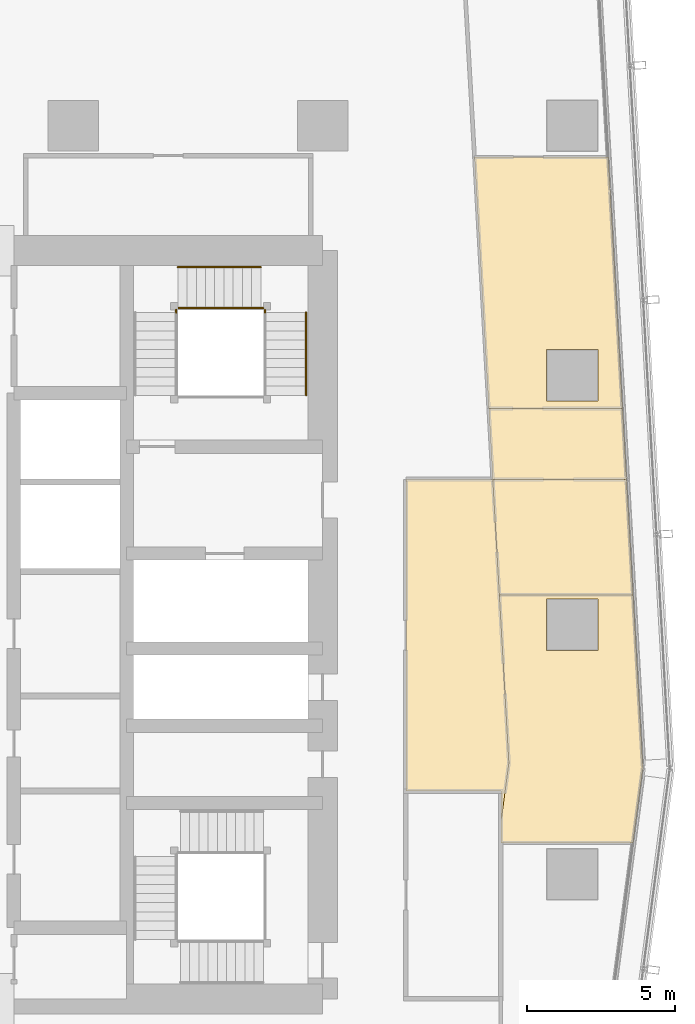
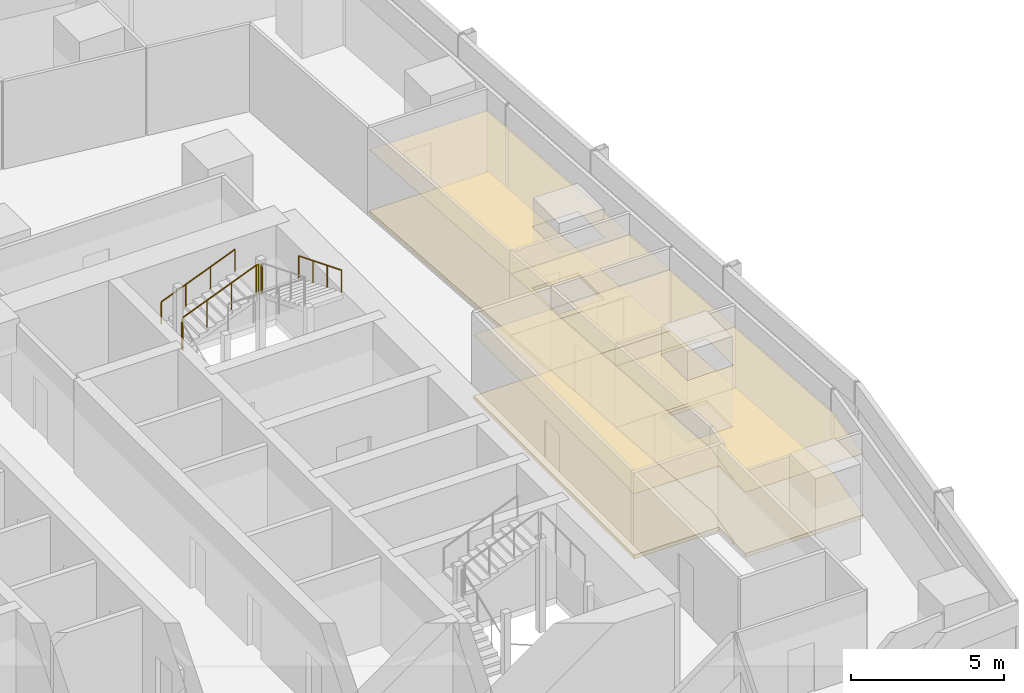
# One storey, part 38 of 39: 10 coverings, 6 railings.
"""IFC4 building model written with IfcOpenShell, lengths in metres."""

from ifc_helpers import new_model, si_unit, direction, frame, origin, origin_2d, place, context, subcontext, project, spatial, polyline, circle, outline, extrude, material, layer, layer_set, type_object, element, save


model = new_model("IFC4")

# Units and contexts
model_context = context("Model", 3, precision=1e-05, world=origin(), true_north=direction((0.0, 1.0)))
body_context = subcontext(model_context, "Body", "Model", "MODEL_VIEW")
ifc_project = project(units=[si_unit("LENGTHUNIT", "METRE"), si_unit("AREAUNIT", "SQUARE_METRE"), si_unit("VOLUMEUNIT", "CUBIC_METRE"), si_unit("PLANEANGLEUNIT", "RADIAN"), si_unit("MASSUNIT", "GRAM", prefix="KILO")], contexts=[model_context])

# Site, building, storey
site_placement = place(None, origin())
site = spatial("IfcSite", under=ifc_project, at=site_placement, CompositionType="ELEMENT")
building_placement = place(site_placement, origin())
building = spatial("IfcBuilding", under=site, at=building_placement, Name="Rekha Terrace Tower", CompositionType="ELEMENT")
storey_placement = place(building_placement, frame((0.0, 0.0, 183.949951171875)))
storey = spatial("IfcBuildingStorey", under=building, at=storey_placement, Name="L46", CompositionType="ELEMENT", Elevation=183.949951171875)

# Coverings
ifc_material_1 = material(Name="Mineral fibre tile in exposed grid", Category="finish")
ifc_layer_1 = layer(ifc_material_1, 0.02001953125)
ifc_layer_set_1 = layer_set([ifc_layer_1], Name="Mineral fibre tile in exposed grid")
covering_type_1 = type_object("IfcCoveringType", Name="CL1 600x1200 office grid ceiling", PredefinedType="CEILING", material=ifc_layer_set_1)
covering_1_placement = place(storey_placement, frame((0.0, 0.0, 2.580078125)))
element("IfcCovering", 1, at=covering_1_placement, inside=storey, type_object=covering_type_1, Name="Ceiling L46-05", PredefinedType="CEILING", context=body_context, shape_type="SweptSolid", body=[
    extrude(outline(polyline([(60.85498046875, 34.60791015625), (56.347900390625, 34.60791015625), (56.6689453125, 28.948974609375), (56.39990234375, 26.91796875), (56.39990234375, 26.256103515625), (60.85205078125, 26.256103515625), (61.18603515625, 28.780029296875), (60.85498046875, 34.60791015625)]), holes=[polyline([(59.6650390625, 34.465087890625), (59.6650390625, 32.735107421875), (57.93505859375, 32.735107421875), (57.93505859375, 34.465087890625), (59.6650390625, 34.465087890625)])]), origin(), (0.0, 0.0, 1.0), 0.02001953125),
])
covering_2_placement = place(storey_placement, frame((0.0, 0.0, 2.580078125)))
element("IfcCovering", 2, at=covering_2_placement, inside=storey, type_object=covering_type_1, Name="Ceiling L46-06", PredefinedType="CEILING", context=body_context, shape_type="SweptSolid", body=[
    extrude(outline(polyline([(56.347900390625, 34.60888671875), (60.85498046875, 34.60888671875), (60.635009765625, 38.493896484375), (56.126953125, 38.493896484375), (56.347900390625, 34.60888671875)])), origin(), (0.0, 0.0, 1.0), 0.02001953125),
])
covering_3_placement = place(storey_placement, frame((0.0, 0.0, 2.580078125)))
element("IfcCovering", 3, at=covering_3_placement, inside=storey, type_object=covering_type_1, Name="Ceiling L46-O1", PredefinedType="CEILING", context=body_context, shape_type="SweptSolid", body=[
    extrude(outline(polyline([(56.6689453125, 28.948974609375), (56.347900390625, 34.60791015625), (56.126953125, 38.493896484375), (53.199951171875, 38.493896484375), (53.199951171875, 28.0), (56.39990234375, 28.0), (56.39990234375, 27.071044921875), (56.419921875, 27.070068359375), (56.6689453125, 28.948974609375)])), origin(), (0.0, 0.0, 1.0), 0.02001953125),
])
covering_4_placement = place(storey_placement, frame((0.0, 0.0, 2.580078125)))
element("IfcCovering", 4, at=covering_4_placement, inside=storey, type_object=covering_type_1, Name="Ceiling L46-10", PredefinedType="CEILING", context=body_context, shape_type="SweptSolid", body=[
    extrude(outline(polyline([(60.4990234375, 40.87890625), (55.991943359375, 40.87890625), (56.126953125, 38.4951171875), (60.635009765625, 38.4951171875), (60.4990234375, 40.87890625)])), origin(), (0.0, 0.0, 1.0), 0.02001953125),
])
covering_5_placement = place(storey_placement, frame((0.0, 0.0, 2.580078125)))
element("IfcCovering", 5, at=covering_5_placement, inside=storey, type_object=covering_type_1, Name="Ceiling L46-11", PredefinedType="CEILING", context=body_context, shape_type="SweptSolid", body=[
    extrude(outline(polyline([(60.01904296875, 49.345947265625), (55.511962890625, 49.345947265625), (55.991943359375, 40.8798828125), (60.4990234375, 40.8798828125), (60.01904296875, 49.345947265625)]), holes=[polyline([(59.6650390625, 41.135009765625), (57.93505859375, 41.135009765625), (57.93505859375, 42.864990234375), (59.6650390625, 42.864990234375), (59.6650390625, 41.135009765625)])]), origin(), (0.0, 0.0, 1.0), 0.02001953125),
])

# Railings
ifc_material_2 = material(Name="Stainless steel balustrade", Category="steel")
railing_type_1 = type_object("IfcRailingType", Name="GR1 1100 stair guard", PredefinedType="GUARDRAIL", material=ifc_material_2)
railing_1_placement = place(storey_placement, frame((45.52490234375, 44.260009765625, 1.375)))
element("IfcRailing", 6, at=railing_1_placement, inside=storey, type_object=railing_type_1, Name="Guard ST2 L46 flight 2", PredefinedType="GUARDRAIL", context=body_context, shape_type="SweptSolid", body=[
    extrude(circle(Radius=0.02392578125, at=origin_2d()), frame((0.0, 0.0, 1.076171875), z_axis=(0.927443287984, 0.0, 0.373963831907), x_axis=(0.0, 1.0, 0.0)), (0.0, 0.0, 1.0), 3.00830078125),
    extrude(circle(Radius=0.02099609375, at=origin_2d()), origin(), (0.0, 0.0, 1.0), 1.052001953125),
    extrude(circle(Radius=0.02099609375, at=origin_2d()), frame((0.929931640625, 0.0, 0.375)), (0.0, 0.0, 1.0), 1.052001953125),
    extrude(circle(Radius=0.02099609375, at=origin_2d()), frame((1.860107421875, 0.0, 0.75)), (0.0, 0.0, 1.0), 1.052001953125),
    extrude(circle(Radius=0.02099609375, at=origin_2d()), frame((2.7900390625, 0.0, 1.125)), (0.0, 0.0, 1.0), 1.052001953125),
])
railing_2_placement = place(storey_placement, frame((45.465087890625, 44.114990234375, 1.25)))
element("IfcRailing", 7, at=railing_2_placement, inside=storey, type_object=railing_type_1, Name="Guard ST2 L46 landing 1", PredefinedType="GUARDRAIL", context=body_context, shape_type="SweptSolid", body=[
    extrude(circle(Radius=0.02392578125, at=origin_2d()), frame((0.0, 0.0, 1.076171875), z_axis=(0.0, 1.0, 0.0), x_axis=(-1.0, 0.0, 0.0)), (0.0, 0.0, 1.0), 0.0849609375),
    extrude(circle(Radius=0.02099609375, at=origin_2d()), origin(), (0.0, 0.0, 1.0), 1.052001953125),
    extrude(circle(Radius=0.02099609375, at=origin_2d()), frame((0.0, 0.0849609375, 0.0)), (0.0, 0.0, 1.0), 1.052001953125),
])
railing_3_placement = place(storey_placement, frame((48.31494140625, 44.260009765625, 2.5)))
element("IfcRailing", 8, at=railing_3_placement, inside=storey, type_object=railing_type_1, Name="Guard ST2 L46 landing 2", PredefinedType="GUARDRAIL", context=body_context, shape_type="SweptSolid", body=[
    extrude(circle(Radius=0.02392578125, at=origin_2d()), frame((0.0, 0.0, 1.076171875), z_axis=(1.0, 0.0, 0.0), x_axis=(0.0, 1.0, 0.0)), (0.0, 0.0, 1.0), 0.0849609375),
    extrude(circle(Radius=0.02099609375, at=origin_2d()), origin(), (0.0, 0.0, 1.0), 1.052001953125),
    extrude(circle(Radius=0.02099609375, at=origin_2d()), frame((0.0849609375, 0.0, 0.0)), (0.0, 0.0, 1.0), 1.052001953125),
])
railing_4_placement = place(storey_placement, frame((48.4599609375, 44.114990234375, 2.5)))
element("IfcRailing", 9, at=railing_4_placement, inside=storey, type_object=railing_type_1, Name="Guard ST2 L46 landing 3", PredefinedType="GUARDRAIL", context=body_context, shape_type="SweptSolid", body=[
    extrude(circle(Radius=0.02392578125, at=origin_2d()), frame((0.0, 0.0, 1.076171875), z_axis=(0.0, 1.0, 0.0), x_axis=(-1.0, 0.0, 0.0)), (0.0, 0.0, 1.0), 0.0849609375),
    extrude(circle(Radius=0.02099609375, at=origin_2d()), origin(), (0.0, 0.0, 1.0), 1.052001953125),
    extrude(circle(Radius=0.02099609375, at=origin_2d()), frame((0.0, 0.0849609375, 0.0)), (0.0, 0.0, 1.0), 1.052001953125),
])
ifc_material_3 = material(Name="Stainless steel tube", Category="steel")
railing_type_2 = type_object("IfcRailingType", Name="HR1 900 stair handrail", PredefinedType="HANDRAIL", material=ifc_material_3)
railing_5_placement = place(storey_placement, frame((45.52490234375, 45.639892578125, 1.375)))
element("IfcRailing", 10, at=railing_5_placement, inside=storey, type_object=railing_type_2, Name="Handrail ST2 L46 flight 2", PredefinedType="HANDRAIL", context=body_context, shape_type="SweptSolid", body=[
    extrude(circle(Radius=0.02392578125, at=origin_2d()), frame((0.0, 0.0, 0.8759765625), z_axis=(0.927443287984, 0.0, 0.373963831907), x_axis=(0.0, 1.0, 0.0)), (0.0, 0.0, 1.0), 3.00830078125),
    extrude(circle(Radius=0.02099609375, at=origin_2d()), origin(), (0.0, 0.0, 1.0), 0.851806640625),
    extrude(circle(Radius=0.02099609375, at=origin_2d()), frame((0.929931640625, 0.0, 0.375)), (0.0, 0.0, 1.0), 0.851806640625),
    extrude(circle(Radius=0.02099609375, at=origin_2d()), frame((1.860107421875, 0.0, 0.75)), (0.0, 0.0, 1.0), 0.851806640625),
    extrude(circle(Radius=0.02099609375, at=origin_2d()), frame((2.7900390625, 0.0, 1.125)), (0.0, 0.0, 1.0), 0.851806640625),
])
railing_6_placement = place(storey_placement, frame((49.840087890625, 44.114990234375, 2.625)))
element("IfcRailing", 11, at=railing_6_placement, inside=storey, type_object=railing_type_2, Name="Handrail ST2 L46 flight 3", PredefinedType="HANDRAIL", context=body_context, shape_type="SweptSolid", body=[
    extrude(circle(Radius=0.02392578125, at=origin_2d()), frame((0.0, 0.0, 0.8759765625), z_axis=(0.0, -0.927443287984, 0.373963831907), x_axis=(1.0, 0.0, 0.0)), (0.0, 0.0, 1.0), 3.00830078125),
    extrude(circle(Radius=0.02099609375, at=origin_2d()), origin(), (0.0, 0.0, 1.0), 0.851806640625),
    extrude(circle(Radius=0.02099609375, at=origin_2d()), frame((0.0, -0.929931640625, 0.375)), (0.0, 0.0, 1.0), 0.851806640625),
    extrude(circle(Radius=0.02099609375, at=origin_2d()), frame((0.0, -1.860107421875, 0.75)), (0.0, 0.0, 1.0), 0.851806640625),
    extrude(circle(Radius=0.02099609375, at=origin_2d()), frame((0.0, -2.7900390625, 1.125)), (0.0, 0.0, 1.0), 0.851806640625),
])

# Coverings
ifc_material_4 = material(Name="Calcium sulphate panels on steel pedestals", Category="steel")
ifc_layer_2 = layer(ifc_material_4, 0.14990234375)
ifc_layer_set_2 = layer_set([ifc_layer_2], Name="Calcium sulphate panels on steel pedestals")
covering_type_2 = type_object("IfcCoveringType", Name="RF1 150 raised access floor", PredefinedType="FLOORING", material=ifc_layer_set_2)
covering_6_placement = place(storey_placement, origin())
element("IfcCovering", 12, at=covering_6_placement, inside=storey, type_object=covering_type_2, Name="Raised floor L46-05", PredefinedType="FLOORING", context=body_context, shape_type="SweptSolid", body=[
    extrude(outline(polyline([(60.85498046875, 34.60791015625), (56.347900390625, 34.60791015625), (56.6689453125, 28.948974609375), (56.39990234375, 26.91796875), (56.39990234375, 26.256103515625), (60.85205078125, 26.256103515625), (61.18603515625, 28.780029296875), (60.85498046875, 34.60791015625)]), holes=[polyline([(59.6650390625, 34.465087890625), (59.6650390625, 32.735107421875), (57.93505859375, 32.735107421875), (57.93505859375, 34.465087890625), (59.6650390625, 34.465087890625)])]), origin(), (0.0, 0.0, 1.0), 0.150146484375),
])
covering_7_placement = place(storey_placement, origin())
element("IfcCovering", 13, at=covering_7_placement, inside=storey, type_object=covering_type_2, Name="Raised floor L46-06", PredefinedType="FLOORING", context=body_context, shape_type="SweptSolid", body=[
    extrude(outline(polyline([(56.347900390625, 34.60888671875), (60.85498046875, 34.60888671875), (60.635009765625, 38.493896484375), (56.126953125, 38.493896484375), (56.347900390625, 34.60888671875)])), origin(), (0.0, 0.0, 1.0), 0.150146484375),
])
covering_8_placement = place(storey_placement, origin())
element("IfcCovering", 14, at=covering_8_placement, inside=storey, type_object=covering_type_2, Name="Raised floor L46-O1", PredefinedType="FLOORING", context=body_context, shape_type="SweptSolid", body=[
    extrude(outline(polyline([(56.6689453125, 28.948974609375), (56.347900390625, 34.60791015625), (56.126953125, 38.493896484375), (53.199951171875, 38.493896484375), (53.199951171875, 28.0), (56.39990234375, 28.0), (56.39990234375, 27.071044921875), (56.419921875, 27.070068359375), (56.6689453125, 28.948974609375)])), origin(), (0.0, 0.0, 1.0), 0.150146484375),
])
covering_9_placement = place(storey_placement, origin())
element("IfcCovering", 15, at=covering_9_placement, inside=storey, type_object=covering_type_2, Name="Raised floor L46-10", PredefinedType="FLOORING", context=body_context, shape_type="SweptSolid", body=[
    extrude(outline(polyline([(60.4990234375, 40.87890625), (55.991943359375, 40.87890625), (56.126953125, 38.4951171875), (60.635009765625, 38.4951171875), (60.4990234375, 40.87890625)])), origin(), (0.0, 0.0, 1.0), 0.150146484375),
])
covering_10_placement = place(storey_placement, origin())
element("IfcCovering", 16, at=covering_10_placement, inside=storey, type_object=covering_type_2, Name="Raised floor L46-11", PredefinedType="FLOORING", context=body_context, shape_type="SweptSolid", body=[
    extrude(outline(polyline([(60.01904296875, 49.345947265625), (55.511962890625, 49.345947265625), (55.991943359375, 40.8798828125), (60.4990234375, 40.8798828125), (60.01904296875, 49.345947265625)]), holes=[polyline([(59.6650390625, 41.135009765625), (57.93505859375, 41.135009765625), (57.93505859375, 42.864990234375), (59.6650390625, 42.864990234375), (59.6650390625, 41.135009765625)])]), origin(), (0.0, 0.0, 1.0), 0.150146484375),
])

save(model, "model.ifc")
